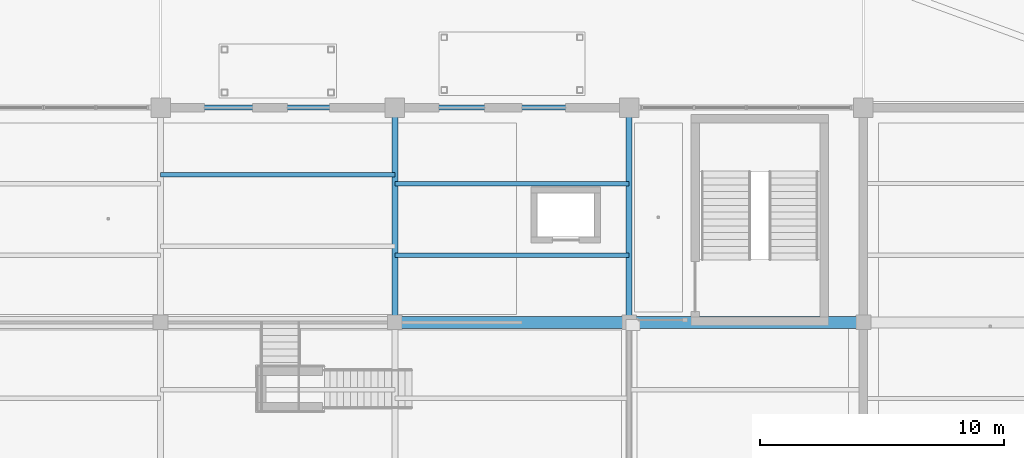
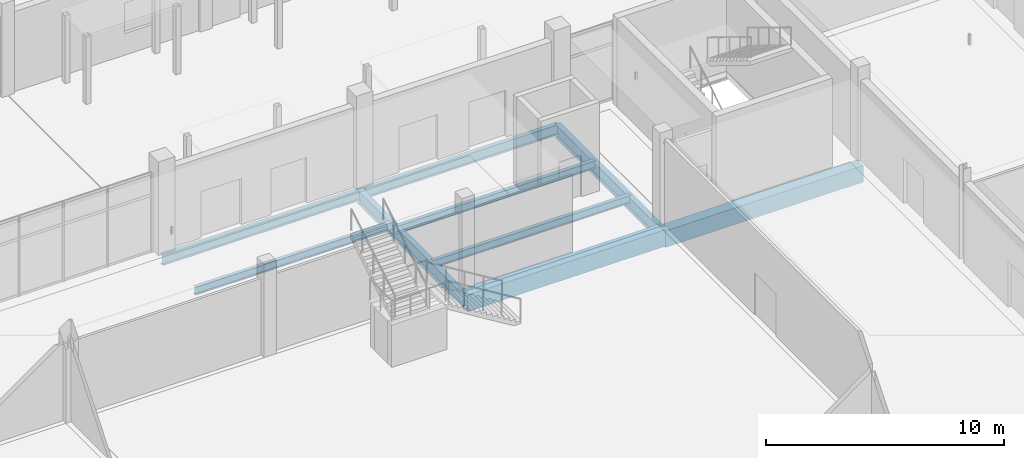
# One storey, part 53 of 116: 9 beams.
"""IFC4 building model written with IfcOpenShell, lengths in metres."""

import ifcopenshell
import ifcopenshell.guid

model = None  # the IFC model being written
_history = None  # IfcOwnerHistory: only IFC2X3 demands one
_inside = {}  # id of a spatial element -> (the spatial element, [elements in it])
_under = {}  # id of a project, library or spatial element -> (it, [spatial elements below it])
_declared = {}  # id of a project -> (the project, [libraries it declares])
_typed = {}  # id of a type object -> (the type object, [elements of that type])
_made_of = {}  # id of a material, layer set ... -> (it, [elements and type objects made of it])


def new_model(schema):
    """Start an empty IFC model of exactly this schema.

    Asked for "IFC4X3", IfcOpenShell would pick the latest addendum, in which some entities
    have other attributes; the version numbers below select the first issue.
    IFC2X3 requires an IfcOwnerHistory on every rooted entity: one is made here for all.
    """
    global model, _history
    if schema == "IFC4X3":
        model = ifcopenshell.file(schema_version=(4, 3, 0, 0))
    else:
        model = ifcopenshell.file(schema=schema)
    _inside.clear()
    _under.clear()
    _declared.clear()
    _typed.clear()
    _made_of.clear()
    _history = None
    if model.schema == "IFC2X3":
        org = make("IfcOrganization", Name="unknown")
        user = make(
            "IfcPersonAndOrganization",
            ThePerson=make("IfcPerson", FamilyName="unknown"),
            TheOrganization=org,
        )
        app = make(
            "IfcApplication",
            ApplicationDeveloper=org,
            Version="unknown",
            ApplicationFullName="unknown",
            ApplicationIdentifier="unknown",
        )
        _history = make(
            "IfcOwnerHistory",
            OwningUser=user,
            OwningApplication=app,
            ChangeAction="ADDED",
            CreationDate=0,
        )
    return model


def make(cls, **values):
    """One entity of the class cls with the attributes given. An attribute that is None is left unset."""
    return model.create_entity(
        cls, **{name: value for name, value in values.items() if value is not None}
    )


def rooted(cls, **values):
    """An entity with a GlobalId (a new one), such as an element, a storey or a relation."""
    return make(cls, GlobalId=ifcopenshell.guid.new(), OwnerHistory=_history, **values)


def si_unit(unit_type, name, prefix=None):
    """IfcSIUnit, for example si_unit("LENGTHUNIT", "METRE", prefix="MILLI")."""
    return make("IfcSIUnit", UnitType=unit_type, Prefix=prefix, Name=name)


def assignment(units):
    """IfcUnitAssignment: the units of a project."""
    return None if units is None else make("IfcUnitAssignment", Units=units)


def point(xyz):
    """IfcCartesianPoint."""
    return None if xyz is None else make("IfcCartesianPoint", Coordinates=xyz)


def direction(xyz):
    """IfcDirection."""
    return None if xyz is None else make("IfcDirection", DirectionRatios=xyz)


def frame(location, z_axis=None, x_axis=None):
    """IfcAxis2Placement3D, a coordinate frame: its origin and axes. An axis left out is left unset."""
    return make(
        "IfcAxis2Placement3D",
        Location=point(location),
        Axis=direction(z_axis),
        RefDirection=direction(x_axis),
    )


def frame_2d(location, x_axis=None):
    """IfcAxis2Placement2D, a coordinate frame in the plane: its origin and x axis."""
    return make(
        "IfcAxis2Placement2D", Location=point(location), RefDirection=direction(x_axis)
    )


def origin():
    """The frame at (0, 0, 0) with its axes left unset."""
    return frame((0.0, 0.0, 0.0))


def origin_2d():
    """The frame at (0, 0) in the plane with its x axis left unset."""
    return frame_2d((0.0, 0.0))


def place(relative_to, where):
    """IfcLocalPlacement: puts the frame where relative to a parent placement (None: the world)."""
    return make(
        "IfcLocalPlacement", PlacementRelTo=relative_to, RelativePlacement=where
    )


def context(
    kind, dimensions, precision=None, world=None, true_north=None, identifier=None
):
    """IfcGeometricRepresentationContext, for example the 3D "Model" context."""
    return make(
        "IfcGeometricRepresentationContext",
        ContextIdentifier=identifier,
        ContextType=kind,
        CoordinateSpaceDimension=dimensions,
        Precision=precision,
        WorldCoordinateSystem=world,
        TrueNorth=true_north,
    )


def subcontext(parent, identifier, kind, view, scale=None):
    """IfcGeometricRepresentationSubContext, for example "Body" below "Model"."""
    return make(
        "IfcGeometricRepresentationSubContext",
        ContextIdentifier=identifier,
        ContextType=kind,
        ParentContext=parent,
        TargetScale=scale,
        TargetView=view,
    )


def project(units=None, contexts=None):
    """IfcProject with its units and contexts."""
    return rooted(
        "IfcProject",
        Name="project",
        RepresentationContexts=contexts,
        UnitsInContext=assignment(units),
    )


def spatial(cls, under=None, at=None, **own):
    """A site, building, storey or space (cls), placed at a placement, below another one or the project."""
    s = rooted(cls, ObjectPlacement=at, **own)
    if under is not None:
        _under.setdefault(under.id(), (under, []))[1].append(s)
    return s


def profile(cls, at=None, kind="AREA", **sizes):
    """A parametric profile (cls). Its sizes go by their IFC names, for example OverallWidth=200.0."""
    return make(cls, ProfileType=kind, Position=at, **sizes)


def rectangle(**sizes):
    """IfcRectangleProfileDef."""
    return profile("IfcRectangleProfileDef", **sizes)


def i_section(**sizes):
    """IfcIShapeProfileDef."""
    return profile("IfcIShapeProfileDef", **sizes)


def extrude(swept, where, along, depth):
    """IfcExtrudedAreaSolid: the profile swept, set in the frame where, extruded along a direction by depth."""
    return make(
        "IfcExtrudedAreaSolid",
        SweptArea=swept,
        Position=where,
        ExtrudedDirection=direction(along),
        Depth=depth,
    )


def shape(context_of_items, identifier, shape_type, items):
    """IfcShapeRepresentation: the items that make up one representation, for example the "Body"."""
    return make(
        "IfcShapeRepresentation",
        ContextOfItems=context_of_items,
        RepresentationIdentifier=identifier,
        RepresentationType=shape_type,
        Items=items,
    )


def material(Name=None, Category=None):
    """IfcMaterial."""
    return make("IfcMaterial", Name=Name, Category=Category)


def material_profile(
    of_material, cross_section, Name=None, Category=None, Priority=None
):
    """IfcMaterialProfile: a cross section and its material."""
    return make(
        "IfcMaterialProfile",
        Name=Name,
        Material=of_material,
        Profile=cross_section,
        Priority=Priority,
        Category=Category,
    )


def profile_set(profiles, Name=None, composite=None):
    """IfcMaterialProfileSet."""
    return make(
        "IfcMaterialProfileSet",
        Name=Name,
        MaterialProfiles=profiles,
        CompositeProfile=composite,
    )


def made_of(thing, what):
    """Note that an element or type object is made of a material, layer set ...; save() writes the relation."""
    if what is not None:
        _made_of.setdefault(what.id(), (what, []))[1].append(thing)
    return thing


def type_object(cls, material=None, **own):
    """A type object (cls), such as IfcWallType, which elements share."""
    return made_of(rooted(cls, **own), material)


def element(
    cls,
    number,
    at=None,
    inside=None,
    cuts=None,
    type_object=None,
    material=None,
    context=None,
    identifier="Body",
    shape_type=None,
    held_by="IfcProductDefinitionShape",
    body=None,
    shapes=None,
    **own,
):
    """One element of the class cls, such as IfcWall. Its Tag is "e" and its number.

    at: its placement. inside: the storey or other place that contains it. cuts: it is an
    opening in that element (IfcRelVoidsElement). A single representation is given by context,
    identifier, shape_type and body (its items); several are given by shapes. held_by: the class
    of the entity that holds the representations. save() writes the other relations.
    """
    e = rooted(cls, Tag="e%d" % number, ObjectPlacement=at, **own)
    if body is not None:
        shapes = [shape(context, identifier, shape_type, body)]
    if shapes is not None:
        e.Representation = make(held_by, Representations=shapes)
    if inside is not None:
        _inside.setdefault(inside.id(), (inside, []))[1].append(e)
    if cuts is not None:
        rooted(
            "IfcRelVoidsElement", RelatingBuildingElement=cuts, RelatedOpeningElement=e
        )
    if type_object is not None:
        _typed.setdefault(type_object.id(), (type_object, []))[1].append(e)
    return made_of(e, material)


def aggregate(whole, parts):
    """IfcRelAggregates: a whole, such as a stair, and the parts it consists of."""
    return rooted("IfcRelAggregates", RelatingObject=whole, RelatedObjects=parts)


def save(model, path):
    """Write the relations noted so far, then the file.

    IfcRelAggregates (storeys below a building ...), IfcRelContainedInSpatialStructure (elements
    in a storey), IfcRelDefinesByType, IfcRelAssociatesMaterial and IfcRelDeclares: one each for
    every whole, place, type object, material and project.
    """
    for whole, parts in _under.values():
        aggregate(whole, parts)
    for where, things in _inside.values():
        rooted(
            "IfcRelContainedInSpatialStructure",
            RelatedElements=things,
            RelatingStructure=where,
        )
    for kind, things in _typed.values():
        rooted("IfcRelDefinesByType", RelatedObjects=things, RelatingType=kind)
    for what, things in _made_of.values():
        rooted("IfcRelAssociatesMaterial", RelatedObjects=things, RelatingMaterial=what)
    for by, libraries in _declared.values():
        rooted("IfcRelDeclares", RelatingContext=by, RelatedDefinitions=libraries)
    model.write(path)


model = new_model("IFC4")

# Units and contexts
model_context = context("Model", 3, precision=1e-05, world=origin(), true_north=direction((0.0, 1.0)))
body_context = subcontext(model_context, "Body", "Model", "MODEL_VIEW")
ifc_project = project(units=[si_unit("LENGTHUNIT", "METRE"), si_unit("AREAUNIT", "SQUARE_METRE"), si_unit("VOLUMEUNIT", "CUBIC_METRE"), si_unit("PLANEANGLEUNIT", "RADIAN"), si_unit("MASSUNIT", "GRAM", prefix="KILO")], contexts=[model_context])

# Site, building, storey
site_placement = place(None, origin())
site = spatial("IfcSite", under=ifc_project, at=site_placement, CompositionType="ELEMENT")
building_placement = place(site_placement, origin())
building = spatial("IfcBuilding", under=site, at=building_placement, Name="Chalmorin Arch Market", CompositionType="ELEMENT")
storey_placement = place(building_placement, origin())
storey = spatial("IfcBuildingStorey", under=building, at=storey_placement, Name="L00", CompositionType="ELEMENT", Elevation=0.0)

# Beams
ifc_material_1 = material(Name="Steel A992 Grade 50", Category="steel")
ifc_material_profile_1 = material_profile(ifc_material_1, i_section(OverallWidth=0.208984375, OverallDepth=0.532958984375, WebThickness=0.01025390625, FlangeThickness=0.015625, FilletRadius=0.02197265625, at=origin_2d()), Name="W21X62")
ifc_profile_set_1 = profile_set([ifc_material_profile_1], Name="Steel A992 Grade 50")
beam_type_1 = type_object("IfcBeamType", Name="PerimeterSpandrelBeam-W21X62", PredefinedType="SPANDREL", material=ifc_profile_set_1)
beam_1_placement = place(storey_placement, frame((96.0, 58.800048828125, -0.568603515625), z_axis=(1.0, 0.0, 0.0), x_axis=(0.0, 1.0, 0.0)))
element("IfcBeam", 1, at=beam_1_placement, inside=storey, type_object=beam_type_1, Name="SP-W21-0083", PredefinedType="SPANDREL", context=body_context, shape_type="SweptSolid", body=[
    extrude(i_section(OverallWidth=0.208984375, OverallDepth=0.532958984375, WebThickness=0.01025390625, FlangeThickness=0.015625, FilletRadius=0.02197265625, at=origin_2d()), origin(), (0.0, 0.0, 1.0), 9.60009765625),
])
beam_2_placement = place(storey_placement, frame((105.60009765625, 58.800048828125, -0.568603515625), z_axis=(1.0, 0.0, 0.0), x_axis=(0.0, 1.0, 0.0)))
element("IfcBeam", 2, at=beam_2_placement, inside=storey, type_object=beam_type_1, Name="SP-W21-0096", PredefinedType="SPANDREL", context=body_context, shape_type="SweptSolid", body=[
    extrude(i_section(OverallWidth=0.208984375, OverallDepth=0.532958984375, WebThickness=0.01025390625, FlangeThickness=0.015625, FilletRadius=0.02197265625, at=origin_2d()), origin(), (0.0, 0.0, 1.0), 9.599853515625),
])
ifc_material_2 = material(Name="Concrete C40/50", Category="concrete")
ifc_material_profile_2 = material_profile(ifc_material_2, rectangle(XDim=0.5, YDim=0.85009765625, at=origin_2d()), Name="RC500X850")
ifc_profile_set_2 = profile_set([ifc_material_profile_2], Name="Concrete C40/50")
beam_type_2 = type_object("IfcBeamType", Name="PlinthConcreteGirder-500x850", PredefinedType="BEAM", material=ifc_profile_set_2)
beam_3_placement = place(storey_placement, frame((105.60009765625, 50.0, -0.70703125), z_axis=(1.0, 0.0, 0.0), x_axis=(0.0, 1.0, 0.0)))
element("IfcBeam", 3, at=beam_3_placement, inside=storey, type_object=beam_type_2, Name="BG-RC1-0094", PredefinedType="BEAM", context=body_context, shape_type="SweptSolid", body=[
    extrude(rectangle(XDim=0.5, YDim=0.85009765625, at=origin_2d()), origin(), (0.0, 0.0, 1.0), 9.599853515625),
])
beam_4_placement = place(storey_placement, frame((115.199951171875, 50.0, -0.777099609375), z_axis=(1.0, 0.0, 0.0), x_axis=(0.0, 1.0, 0.0)))
element("IfcBeam", 4, at=beam_4_placement, inside=storey, type_object=beam_type_2, Name="BG-RC1-0107", PredefinedType="BEAM", context=body_context, shape_type="SweptSolid", body=[
    extrude(rectangle(XDim=0.5, YDim=0.85009765625, at=origin_2d()), origin(), (0.0, 0.0, 1.0), 9.60009765625),
])
ifc_material_profile_3 = material_profile(ifc_material_1, i_section(OverallWidth=0.25390625, OverallDepth=0.68408203125, WebThickness=0.012451171875, FlangeThickness=0.018798828125, FilletRadius=0.02587890625, at=origin_2d()), Name="W27X94")
ifc_profile_set_3 = profile_set([ifc_material_profile_3], Name="Steel A992 Grade 50")
beam_type_3 = type_object("IfcBeamType", Name="PrimarySteelGirder-W27X94", PredefinedType="BEAM", material=ifc_profile_set_3)
for number, where, z_axis, x_axis, name in (
    (5, (105.60009765625, 50.0, -0.64404296875), (0.0, 1.0, 0.0), (-1.0, 0.0, 0.0), "BG-W27-0084"),
    (6, (115.199951171875, 50.0, -0.64404296875), (0.0, 1.0, 0.0), (-1.0, 0.0, 0.0), "BG-W27-0097"),
):
    element("IfcBeam", number, at=place(storey_placement, frame(where, z_axis=z_axis, x_axis=x_axis)), inside=storey, type_object=beam_type_3, Name=name, PredefinedType="BEAM", context=body_context, shape_type="SweptSolid", body=[
        extrude(i_section(OverallWidth=0.25390625, OverallDepth=0.68408203125, WebThickness=0.012451171875, FlangeThickness=0.018798828125, FilletRadius=0.02587890625, at=origin_2d()), origin(), (0.0, 0.0, 1.0), 8.800048828125),
    ])
ifc_material_profile_4 = material_profile(ifc_material_1, i_section(OverallWidth=0.178955078125, OverallDepth=0.409912109375, WebThickness=0.0087890625, FlangeThickness=0.014404296875, FilletRadius=0.01806640625, at=origin_2d()), Name="W16X45")
ifc_profile_set_4 = profile_set([ifc_material_profile_4], Name="Steel A992 Grade 50")
beam_type_4 = type_object("IfcBeamType", Name="SecondaryFloorJoist-W16X45", PredefinedType="JOIST", material=ifc_profile_set_4)
beam_5_placement = place(storey_placement, frame((96.0, 56.046630859375, -0.487060546875), z_axis=(1.0, 0.0, 0.0), x_axis=(0.0, 1.0, 0.0)))
element("IfcBeam", 7, at=beam_5_placement, inside=storey, type_object=beam_type_4, Name="BJ-W16A-0178", PredefinedType="JOIST", context=body_context, shape_type="SweptSolid", body=[
    extrude(i_section(OverallWidth=0.178955078125, OverallDepth=0.409912109375, WebThickness=0.0087890625, FlangeThickness=0.014404296875, FilletRadius=0.01806640625, at=origin_2d()), origin(), (0.0, 0.0, 1.0), 9.60009765625),
])
for number, where, z_axis, x_axis, name in (
    (8, (105.60009765625, 52.75341796875, -0.487060546875), (1.0, 0.0, 0.0), (0.0, 1.0, 0.0), "BJ-W16A-0189"),
    (9, (105.60009765625, 55.686767578125, -0.487060546875), (1.0, 0.0, 0.0), (0.0, 1.0, 0.0), "BJ-W16A-0190"),
):
    element("IfcBeam", number, at=place(storey_placement, frame(where, z_axis=z_axis, x_axis=x_axis)), inside=storey, type_object=beam_type_4, Name=name, PredefinedType="JOIST", context=body_context, shape_type="SweptSolid", body=[
        extrude(i_section(OverallWidth=0.178955078125, OverallDepth=0.409912109375, WebThickness=0.0087890625, FlangeThickness=0.014404296875, FilletRadius=0.01806640625, at=origin_2d()), origin(), (0.0, 0.0, 1.0), 9.599853515625),
    ])

save(model, "model.ifc")
